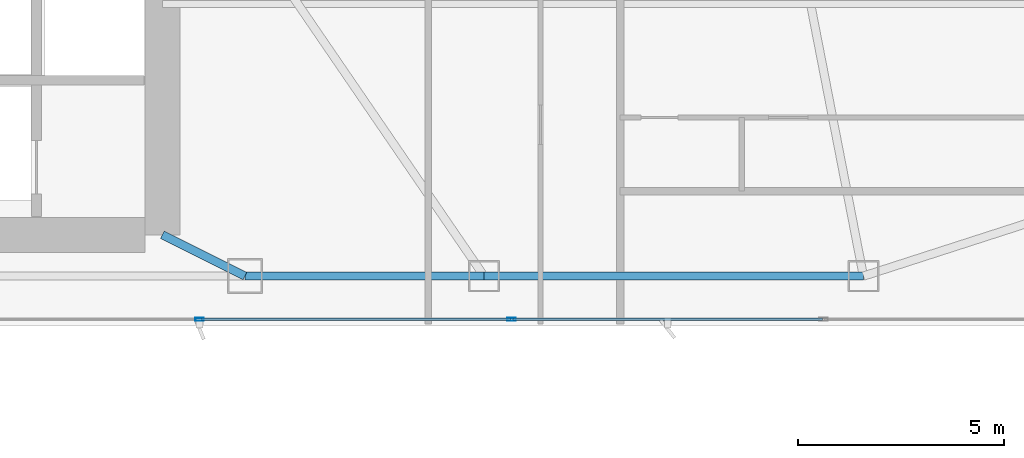
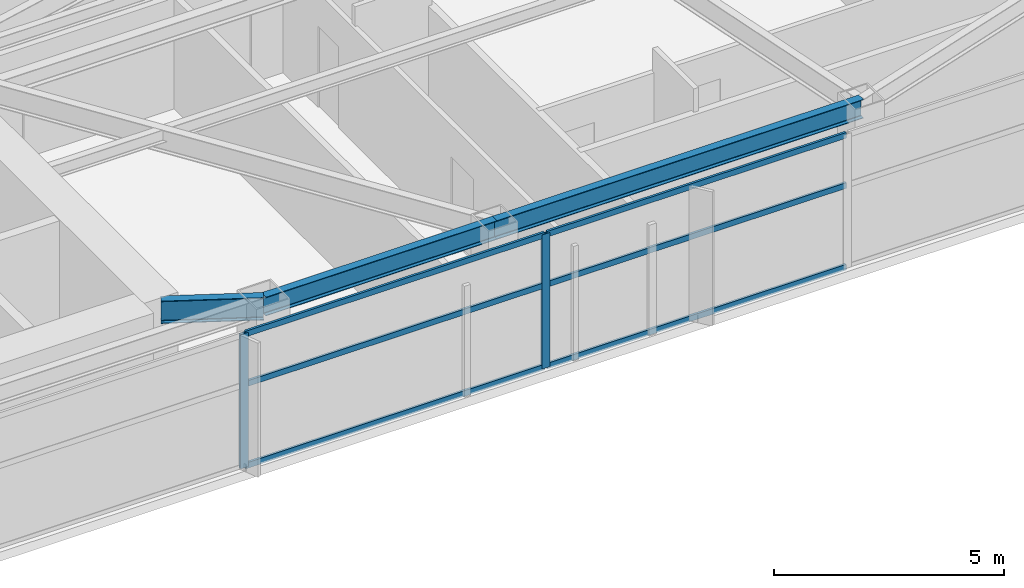
# One storey, part 12 of 29: 8 members, 3 beams, 1 element without a shape of its own.
"""IFC4 building model written with IfcOpenShell, lengths in metres."""

from ifc_helpers import new_model, si_unit, direction, frame, origin, origin_2d, place, context, subcontext, project, spatial, hollow_rectangle, i_section, extrude, material, layer, layer_set, material_profile, profile_set, type_object, element, aggregate, save


model = new_model("IFC4")

# Units and contexts
model_context = context("Model", 3, precision=1e-05, world=origin(), true_north=direction((0.0, 1.0)))
body_context = subcontext(model_context, "Body", "Model", "MODEL_VIEW")
ifc_project = project(units=[si_unit("LENGTHUNIT", "METRE"), si_unit("AREAUNIT", "SQUARE_METRE"), si_unit("VOLUMEUNIT", "CUBIC_METRE"), si_unit("PLANEANGLEUNIT", "RADIAN"), si_unit("MASSUNIT", "GRAM", prefix="KILO")], contexts=[model_context])

# Site, building, storey
site_placement = place(None, origin())
site = spatial("IfcSite", under=ifc_project, at=site_placement, CompositionType="ELEMENT")
building_placement = place(site_placement, origin())
building = spatial("IfcBuilding", under=site, at=building_placement, Name="Calvorn Quay Hotel", CompositionType="ELEMENT")
storey_placement = place(building_placement, frame((0.0, 0.0, 148.5)))
storey = spatial("IfcBuildingStorey", under=building, at=storey_placement, Name="L36", CompositionType="ELEMENT", Elevation=148.5)

# Beams
ifc_material_1 = material(Name="Steel Q355B", Category="steel")
ifc_material_profile_1 = material_profile(ifc_material_1, i_section(OverallWidth=0.199951171875, OverallDepth=0.60009765625, WebThickness=0.010986328125, FlangeThickness=0.01708984375, FilletRadius=0.01806640625, at=origin_2d()), Name="HN600x200x11x17")
ifc_profile_set_1 = profile_set([ifc_material_profile_1], Name="Steel Q355B")
beam_type_1 = type_object("IfcBeamType", Name="BM-GIRD-TYP", PredefinedType="BEAM", material=ifc_profile_set_1)
beam_1_placement = place(storey_placement, frame((34.39990234375, 3.60009765625, 3.239990234375), z_axis=(-0.894427191, 0.4472135955, 0.0), x_axis=(-0.4472135955, -0.894427191, 0.0)))
element("IfcBeam", 1, at=beam_1_placement, inside=storey, type_object=beam_type_1, Name="Beam BG-L36-S3", PredefinedType="BEAM", context=body_context, shape_type="SweptSolid", body=[
    extrude(i_section(OverallWidth=0.199951171875, OverallDepth=0.60009765625, WebThickness=0.010986328125, FlangeThickness=0.01708984375, FilletRadius=0.01806640625, at=origin_2d()), origin(), (0.0, 0.0, 1.0), 2.236083984375),
])
ifc_material_2 = material(Name="Steel Q355B", Category="steel")
ifc_material_profile_2 = material_profile(ifc_material_2, i_section(OverallWidth=0.199951171875, OverallDepth=0.5, WebThickness=0.010009765625, FlangeThickness=0.01611328125, FilletRadius=0.01611328125, at=origin_2d()), Name="HN500x200x10x16")
ifc_profile_set_2 = profile_set([ifc_material_profile_2], Name="Steel Q355B")
beam_type_2 = type_object("IfcBeamType", Name="BM-SPANDREL-Z1", PredefinedType="SPANDREL", material=ifc_profile_set_2)
beam_2_placement = place(storey_placement, frame((34.39990234375, 3.60009765625, 3.2900390625), z_axis=(1.0, 0.0, 0.0), x_axis=(0.0, 1.0, 0.0)))
element("IfcBeam", 2, at=beam_2_placement, inside=storey, type_object=beam_type_2, Name="Beam BSP-L36-S4", PredefinedType="SPANDREL", context=body_context, shape_type="SweptSolid", body=[
    extrude(i_section(OverallWidth=0.199951171875, OverallDepth=0.5, WebThickness=0.010009765625, FlangeThickness=0.01611328125, FilletRadius=0.01611328125, at=origin_2d()), origin(), (0.0, 0.0, 1.0), 5.800048828125),
])
beam_3_placement = place(storey_placement, frame((40.199951171875, 3.60009765625, 3.2900390625), z_axis=(1.0, 0.0, 0.0), x_axis=(0.0, 1.0, 0.0)))
element("IfcBeam", 3, at=beam_3_placement, inside=storey, type_object=beam_type_2, Name="Beam BSP-L36-S5", PredefinedType="SPANDREL", context=body_context, shape_type="SweptSolid", body=[
    extrude(i_section(OverallWidth=0.199951171875, OverallDepth=0.5, WebThickness=0.010009765625, FlangeThickness=0.01611328125, FilletRadius=0.01611328125, at=origin_2d()), origin(), (0.0, 0.0, 1.0), 9.199951171875),
])

# Curtain wall, members
ifc_material_3 = material(Name="Pale Anodised Aluminium and Low-E Glass", Category="aluminium")
ifc_layer = layer(ifc_material_3, 0.219970703125)
ifc_layer_set = layer_set([ifc_layer], Name="CW-SYS-Z2")
curtain_wall_type = type_object("IfcCurtainWallType", Name="CW-SYS-Z2", PredefinedType="NOTDEFINED", material=ifc_layer_set)
curtain_wall_placement = place(storey_placement, origin())
curtain_wall = element("IfcCurtainWall", 4, at=curtain_wall_placement, inside=storey, type_object=curtain_wall_type, Name="Tower South Waterfront Curtain Wall (L36)", PredefinedType="NOTDEFINED")
ifc_material_4 = material(Name="Pale Anodised Aluminium 6063-T6", Category="aluminium")
ifc_material_profile_3 = material_profile(ifc_material_4, hollow_rectangle(XDim=0.070068359375, YDim=0.199951171875, WallThickness=0.00390625, at=origin_2d()), Name="ALU-M200x70x4")
ifc_profile_set_3 = profile_set([ifc_material_profile_3], Name="Pale Anodised Aluminium 6063-T6")
member_type_1 = type_object("IfcMemberType", Name="CW-SYS-Z2-MUL", PredefinedType="MULLION", material=ifc_profile_set_3)
member_1_placement = place(storey_placement, frame((33.300048828125, 2.550048828125, 0.0), z_axis=(0.0, 0.0, 1.0), x_axis=(0.0, 1.0, 0.0)))
member_1 = element("IfcMember", 5, at=member_1_placement, type_object=member_type_1, Name="CW-L36-S mullion 4", PredefinedType="MULLION", context=body_context, shape_type="SweptSolid", body=[
    extrude(hollow_rectangle(XDim=0.070068359375, YDim=0.199951171875, WallThickness=0.00390625, at=origin_2d()), origin(), (0.0, 0.0, 1.0), 3.56005859375),
])
member_2_placement = place(storey_placement, frame((40.86669921875, 2.550048828125, 0.0), z_axis=(0.0, 0.0, 1.0), x_axis=(0.0, 1.0, 0.0)))
member_2 = element("IfcMember", 6, at=member_2_placement, type_object=member_type_1, Name="CW-L36-S mullion 5", PredefinedType="MULLION", context=body_context, shape_type="SweptSolid", body=[
    extrude(hollow_rectangle(XDim=0.070068359375, YDim=0.199951171875, WallThickness=0.00390625, at=origin_2d()), origin(), (0.0, 0.0, 1.0), 3.56005859375),
])
ifc_material_5 = material(Name="Pale Anodised Aluminium 6063-T6", Category="aluminium")
ifc_material_profile_4 = material_profile(ifc_material_5, hollow_rectangle(XDim=0.06005859375, YDim=0.14990234375, WallThickness=0.00341796875, at=origin_2d()), Name="ALU-T150x60x3.5")
ifc_profile_set_4 = profile_set([ifc_material_profile_4], Name="Pale Anodised Aluminium 6063-T6")
member_type_2 = type_object("IfcMemberType", Name="CW-SYS-Z2-TRN", PredefinedType="USERDEFINED", material=ifc_profile_set_4)
member_3_placement = place(storey_placement, frame((33.330078125, 2.550048828125, 0.030029296875), z_axis=(1.0, 0.0, 0.0), x_axis=(0.0, 1.0, 0.0)))
member_3 = element("IfcMember", 7, at=member_3_placement, type_object=member_type_2, Name="CW-L36-S transom 4.1", ObjectType="TRANSOM", PredefinedType="USERDEFINED", context=body_context, shape_type="SweptSolid", body=[
    extrude(hollow_rectangle(XDim=0.06005859375, YDim=0.14990234375, WallThickness=0.00341796875, at=origin_2d()), origin(), (0.0, 0.0, 1.0), 7.506591796875),
])
member_4_placement = place(storey_placement, frame((33.330078125, 2.550048828125, 2.199951171875), z_axis=(1.0, 0.0, 0.0), x_axis=(0.0, 1.0, 0.0)))
member_4 = element("IfcMember", 8, at=member_4_placement, type_object=member_type_2, Name="CW-L36-S transom 4.2", ObjectType="TRANSOM", PredefinedType="USERDEFINED", context=body_context, shape_type="SweptSolid", body=[
    extrude(hollow_rectangle(XDim=0.06005859375, YDim=0.14990234375, WallThickness=0.00341796875, at=origin_2d()), origin(), (0.0, 0.0, 1.0), 7.506591796875),
])
member_5_placement = place(storey_placement, frame((33.330078125, 2.550048828125, 3.530029296875), z_axis=(1.0, 0.0, 0.0), x_axis=(0.0, 1.0, 0.0)))
member_5 = element("IfcMember", 9, at=member_5_placement, type_object=member_type_2, Name="CW-L36-S transom 4.3", ObjectType="TRANSOM", PredefinedType="USERDEFINED", context=body_context, shape_type="SweptSolid", body=[
    extrude(hollow_rectangle(XDim=0.06005859375, YDim=0.14990234375, WallThickness=0.00341796875, at=origin_2d()), origin(), (0.0, 0.0, 1.0), 7.506591796875),
])
member_6_placement = place(storey_placement, frame((40.896728515625, 2.550048828125, 0.030029296875), z_axis=(1.0, 0.0, 0.0), x_axis=(0.0, 1.0, 0.0)))
member_6 = element("IfcMember", 10, at=member_6_placement, type_object=member_type_2, Name="CW-L36-S transom 5.1", ObjectType="TRANSOM", PredefinedType="USERDEFINED", context=body_context, shape_type="SweptSolid", body=[
    extrude(hollow_rectangle(XDim=0.06005859375, YDim=0.14990234375, WallThickness=0.00341796875, at=origin_2d()), origin(), (0.0, 0.0, 1.0), 7.506591796875),
])
member_7_placement = place(storey_placement, frame((40.896728515625, 2.550048828125, 2.199951171875), z_axis=(1.0, 0.0, 0.0), x_axis=(0.0, 1.0, 0.0)))
member_7 = element("IfcMember", 11, at=member_7_placement, type_object=member_type_2, Name="CW-L36-S transom 5.2", ObjectType="TRANSOM", PredefinedType="USERDEFINED", context=body_context, shape_type="SweptSolid", body=[
    extrude(hollow_rectangle(XDim=0.06005859375, YDim=0.14990234375, WallThickness=0.00341796875, at=origin_2d()), origin(), (0.0, 0.0, 1.0), 7.506591796875),
])
member_8_placement = place(storey_placement, frame((40.896728515625, 2.550048828125, 3.530029296875), z_axis=(1.0, 0.0, 0.0), x_axis=(0.0, 1.0, 0.0)))
member_8 = element("IfcMember", 12, at=member_8_placement, type_object=member_type_2, Name="CW-L36-S transom 5.3", ObjectType="TRANSOM", PredefinedType="USERDEFINED", context=body_context, shape_type="SweptSolid", body=[
    extrude(hollow_rectangle(XDim=0.06005859375, YDim=0.14990234375, WallThickness=0.00341796875, at=origin_2d()), origin(), (0.0, 0.0, 1.0), 7.506591796875),
])
aggregate(curtain_wall, [member_1, member_2, member_3, member_4, member_5, member_6, member_7, member_8])

save(model, "model.ifc")
